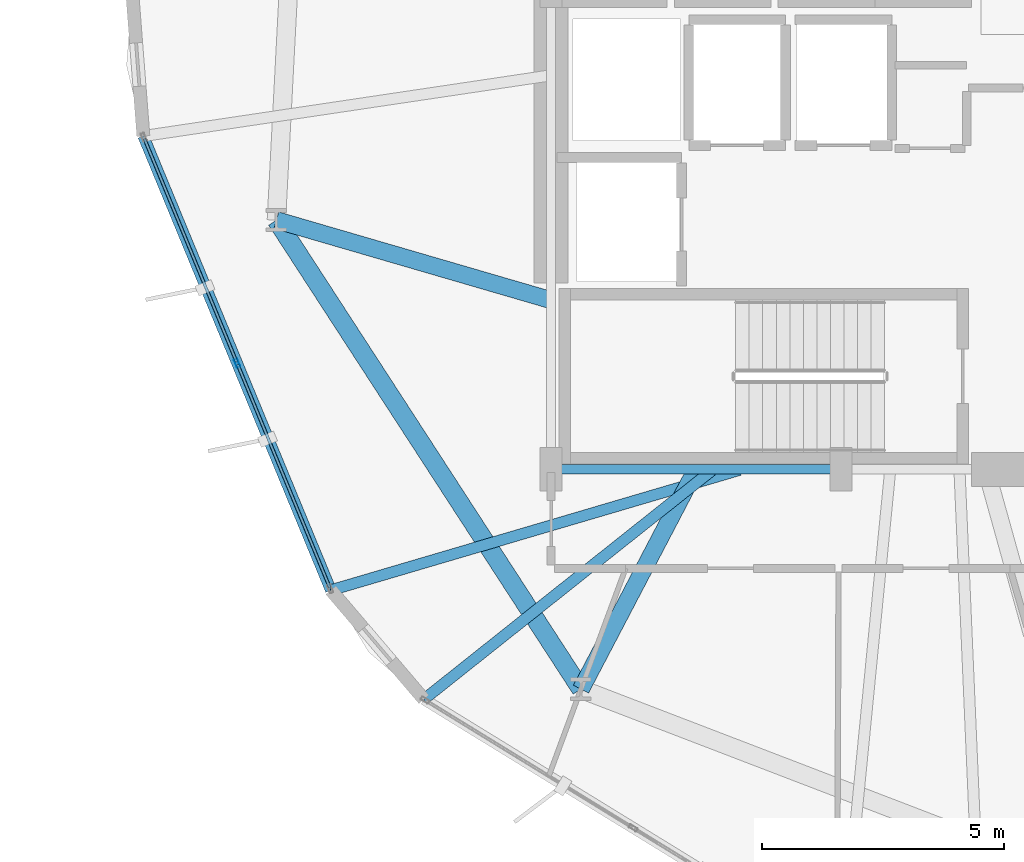
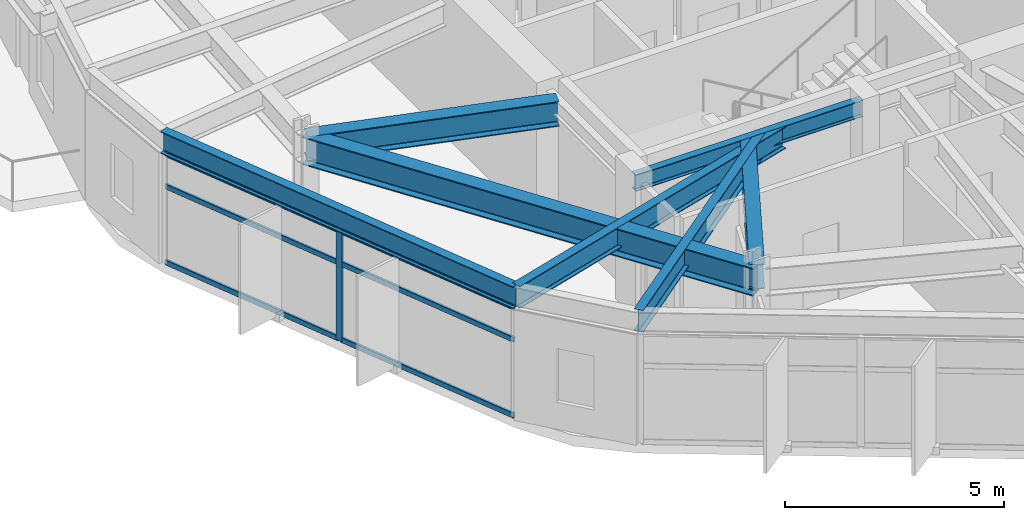
# One storey, part 3 of 22: 7 beams, 7 members, 1 element without a shape of its own.
"""IFC4 building model written with IfcOpenShell, lengths in metres."""

from ifc_helpers import new_model, si_unit, direction, frame, origin, origin_2d, place, context, subcontext, project, spatial, hollow_rectangle, i_section, extrude, material, layer, layer_set, material_profile, profile_set, type_object, element, aggregate, save


model = new_model("IFC4")

# Units and contexts
model_context = context("Model", 3, precision=1e-05, world=origin(), true_north=direction((0.0, 1.0)))
body_context = subcontext(model_context, "Body", "Model", "MODEL_VIEW")
ifc_project = project(units=[si_unit("LENGTHUNIT", "METRE"), si_unit("AREAUNIT", "SQUARE_METRE"), si_unit("VOLUMEUNIT", "CUBIC_METRE"), si_unit("PLANEANGLEUNIT", "RADIAN"), si_unit("MASSUNIT", "GRAM", prefix="KILO")], contexts=[model_context])

# Site, building, storey
site_placement = place(None, origin())
site = spatial("IfcSite", under=ifc_project, at=site_placement, CompositionType="ELEMENT")
building_placement = place(site_placement, origin())
building = spatial("IfcBuilding", under=site, at=building_placement, Name="Soratama Intermodal Tower", CompositionType="ELEMENT")
storey_placement = place(building_placement, frame((0.0, 0.0, 50.60009765625)))
storey = spatial("IfcBuildingStorey", under=building, at=storey_placement, Name="L11", CompositionType="ELEMENT", Elevation=50.60009765625)

# Beams
ifc_material_1 = material(Name="Structural steel ASTM A992 Grade 50", Category="steel")
ifc_material_profile_1 = material_profile(ifc_material_1, i_section(OverallWidth=0.19091796875, OverallDepth=0.4599609375, WebThickness=0.010009765625, FlangeThickness=0.01611328125, FilletRadius=0.010986328125, at=origin_2d()), Name="W18X55")
ifc_profile_set_1 = profile_set([ifc_material_profile_1], Name="Structural steel ASTM A992 Grade 50")
beam_type_1 = type_object("IfcBeamType", Name="BM-FLR-W18X55", PredefinedType="BEAM", material=ifc_profile_set_1)
beam_1_placement = place(storey_placement, frame((32.60009765625, 15.0, 3.469970703125), z_axis=(1.0, 0.0, 0.0), x_axis=(0.0, 1.0, 0.0)))
element("IfcBeam", 1, at=beam_1_placement, inside=storey, type_object=beam_type_1, Name="BM-L11-CRING-01", PredefinedType="BEAM", context=body_context, shape_type="SweptSolid", body=[
    extrude(i_section(OverallWidth=0.19091796875, OverallDepth=0.4599609375, WebThickness=0.010009765625, FlangeThickness=0.01611328125, FilletRadius=0.010986328125, at=origin_2d()), origin(), (0.0, 0.0, 1.0), 6.0),
])
ifc_material_2 = material(Name="Structural steel ASTM A992 Grade 50", Category="steel")
ifc_material_profile_2 = material_profile(ifc_material_2, i_section(OverallWidth=0.35498046875, OverallDepth=0.695068359375, WebThickness=0.015380859375, FlangeThickness=0.02490234375, FilletRadius=0.01611328125, at=origin_2d()), Name="W27X146")
ifc_profile_set_2 = profile_set([ifc_material_profile_2], Name="Structural steel ASTM A992 Grade 50")
beam_type_2 = type_object("IfcBeamType", Name="BM-RING-W27X146", PredefinedType="BEAM", material=ifc_profile_set_2)
beam_2_placement = place(storey_placement, frame((32.60009765625, 18.5, 3.352294921875), z_axis=(-0.960102504931, 0.279648314898, 0.0), x_axis=(-0.279648314898, -0.960102504931, 0.0)))
element("IfcBeam", 2, at=beam_2_placement, inside=storey, type_object=beam_type_2, Name="BM-L11-RAD-06", PredefinedType="BEAM", context=body_context, shape_type="SweptSolid", body=[
    extrude(i_section(OverallWidth=0.35498046875, OverallDepth=0.695068359375, WebThickness=0.015380859375, FlangeThickness=0.02490234375, FilletRadius=0.01611328125, at=origin_2d()), origin(), (0.0, 0.0, 1.0), 5.918212890625),
])
beam_3_placement = place(storey_placement, frame((35.60009765625, 15.0, 3.352294921875), z_axis=(-0.463818619792, -0.885930182314, 0.0), x_axis=(0.885930182314, -0.463818619792, 0.0)))
element("IfcBeam", 3, at=beam_3_placement, inside=storey, type_object=beam_type_2, Name="BM-L11-RAD-07", PredefinedType="BEAM", context=body_context, shape_type="SweptSolid", body=[
    extrude(i_section(OverallWidth=0.35498046875, OverallDepth=0.695068359375, WebThickness=0.015380859375, FlangeThickness=0.02490234375, FilletRadius=0.01611328125, at=origin_2d()), origin(), (0.0, 0.0, 1.0), 5.1337890625),
])
ifc_material_3 = material(Name="Structural steel ASTM A992 Grade 50", Category="steel")
ifc_material_profile_3 = material_profile(ifc_material_3, i_section(OverallWidth=0.382080078125, OverallDepth=0.779052734375, WebThickness=0.01806640625, FlangeThickness=0.030029296875, FilletRadius=0.01806640625, at=origin_2d()), Name="W30X191")
ifc_profile_set_3 = profile_set([ifc_material_profile_3], Name="Structural steel ASTM A992 Grade 50")
beam_type_3 = type_object("IfcBeamType", Name="BM-RING-W30X191", PredefinedType="BEAM", material=ifc_profile_set_3)
beam_4_placement = place(storey_placement, frame((26.91796875, 20.155029296875, 3.310302734375), z_axis=(0.544623370352, -0.838680740489, 0.0), x_axis=(0.838680740489, 0.544623370352, 0.0)))
element("IfcBeam", 4, at=beam_4_placement, inside=storey, type_object=beam_type_3, Name="BM-L11-RING-06", PredefinedType="BEAM", context=body_context, shape_type="SweptSolid", body=[
    extrude(i_section(OverallWidth=0.382080078125, OverallDepth=0.779052734375, WebThickness=0.01806640625, FlangeThickness=0.030029296875, FilletRadius=0.01806640625, at=origin_2d()), origin(), (0.0, 0.0, 1.0), 11.569580078125),
])
ifc_material_4 = material(Name="Structural steel ASTM A992 Grade 50", Category="steel")
ifc_material_profile_4 = material_profile(ifc_material_4, i_section(OverallWidth=0.22900390625, OverallDepth=0.612060546875, WebThickness=0.011962890625, FlangeThickness=0.01953125, FilletRadius=0.012939453125, at=origin_2d()), Name="W24X84")
ifc_profile_set_4 = profile_set([ifc_material_profile_4], Name="Structural steel ASTM A992 Grade 50")
beam_type_4 = type_object("IfcBeamType", Name="BM-SPN-W24X84", PredefinedType="SPANDREL", material=ifc_profile_set_4)
beam_5_placement = place(storey_placement, frame((24.1650390625, 21.89501953125, 3.393798828125), z_axis=(0.381670059257, -0.924298634569, 0.0), x_axis=(0.924298634569, 0.381670059257, 0.0)))
element("IfcBeam", 5, at=beam_5_placement, inside=storey, type_object=beam_type_4, Name="BS-L11-F06", PredefinedType="SPANDREL", context=body_context, shape_type="SweptSolid", body=[
    extrude(i_section(OverallWidth=0.22900390625, OverallDepth=0.612060546875, WebThickness=0.011962890625, FlangeThickness=0.01953125, FilletRadius=0.012939453125, at=origin_2d()), origin(), (0.0, 0.0, 1.0), 10.16552734375),
])
ifc_material_5 = material(Name="Structural steel ASTM A992 Grade 50", Category="steel")
ifc_material_profile_5 = material_profile(ifc_material_5, i_section(OverallWidth=0.22900390625, OverallDepth=0.612060546875, WebThickness=0.011962890625, FlangeThickness=0.01953125, FilletRadius=0.012939453125, at=origin_2d()), Name="W24X84")
ifc_profile_set_5 = profile_set([ifc_material_profile_5], Name="Structural steel ASTM A992 Grade 50")
beam_type_5 = type_object("IfcBeamType", Name="BM-TIE-W24X84", PredefinedType="BEAM", material=ifc_profile_set_5)
beam_6_placement = place(storey_placement, frame((36.5029296875, 14.989013671875, 3.393798828125), z_axis=(-0.959293599816, -0.282410674995, 0.0), x_axis=(0.282410674995, -0.959293599816, 0.0)))
element("IfcBeam", 6, at=beam_6_placement, inside=storey, type_object=beam_type_5, Name="BM-L11-TIE1-06", PredefinedType="BEAM", context=body_context, shape_type="SweptSolid", body=[
    extrude(i_section(OverallWidth=0.22900390625, OverallDepth=0.612060546875, WebThickness=0.011962890625, FlangeThickness=0.01953125, FilletRadius=0.012939453125, at=origin_2d()), origin(), (0.0, 0.0, 1.0), 8.81689453125),
])
beam_7_placement = place(storey_placement, frame((35.926025390625, 14.97509765625, 3.393798828125), z_axis=(-0.782834075822, -0.622230511734, 0.0), x_axis=(0.622230511734, -0.782834075822, 0.0)))
element("IfcBeam", 7, at=beam_7_placement, inside=storey, type_object=beam_type_5, Name="BM-L11-TIE0-07", PredefinedType="BEAM", context=body_context, shape_type="SweptSolid", body=[
    extrude(i_section(OverallWidth=0.22900390625, OverallDepth=0.612060546875, WebThickness=0.011962890625, FlangeThickness=0.01953125, FilletRadius=0.012939453125, at=origin_2d()), origin(), (0.0, 0.0, 1.0), 7.6083984375),
])

# Curtain wall, members
ifc_material_6 = material(Name="Double-glazed aluminium curtain wall", Category="aluminium")
ifc_layer = layer(ifc_material_6, 0.159912109375)
ifc_layer_set = layer_set([ifc_layer], Name="Double-glazed aluminium curtain wall")
curtain_wall_type = type_object("IfcCurtainWallType", Name="CW-SYS-2", PredefinedType="NOTDEFINED", material=ifc_layer_set)
curtain_wall_placement = place(storey_placement, origin())
curtain_wall = element("IfcCurtainWall", 8, at=curtain_wall_placement, inside=storey, type_object=curtain_wall_type, Name="L11 Faceted Curtain Wall F06", PredefinedType="NOTDEFINED")
ifc_material_7 = material(Name="Anodised aluminium AA 6063-T6", Category="aluminium")
ifc_material_profile_6 = material_profile(ifc_material_7, hollow_rectangle(XDim=0.074951171875, YDim=0.179931640625, WallThickness=0.006103515625, InnerFilletRadius=0.006103515625, OuterFilletRadius=0.011962890625, at=origin_2d()), Name="CWM180X75X6")
ifc_profile_set_6 = profile_set([ifc_material_profile_6], Name="Anodised aluminium AA 6063-T6")
member_type_1 = type_object("IfcMemberType", Name="MT-CWM-2", PredefinedType="MULLION", material=ifc_profile_set_6)
member_1_placement = place(storey_placement, frame((26.105224609375, 17.19677734375, 0.0), z_axis=(0.0, 0.0, 1.0), x_axis=(0.924277045689, 0.381722337323, 0.0)))
member_1 = element("IfcMember", 9, at=member_1_placement, type_object=member_type_1, Name="CW-2 mullion 2", PredefinedType="MULLION", context=body_context, shape_type="SweptSolid", body=[
    extrude(hollow_rectangle(XDim=0.074951171875, YDim=0.179931640625, WallThickness=0.006103515625, InnerFilletRadius=0.006103515625, OuterFilletRadius=0.011962890625, at=origin_2d()), origin(), (0.0, 0.0, 1.0), 3.078857421875),
])
ifc_material_8 = material(Name="Anodised aluminium AA 6063-T6", Category="aluminium")
ifc_material_profile_7 = material_profile(ifc_material_8, hollow_rectangle(XDim=0.06494140625, YDim=0.14990234375, WallThickness=0.0048828125, InnerFilletRadius=0.0048828125, OuterFilletRadius=0.010009765625, at=origin_2d()), Name="CWT150X65X5")
ifc_profile_set_7 = profile_set([ifc_material_profile_7], Name="Anodised aluminium AA 6063-T6")
member_type_2 = type_object("IfcMemberType", Name="TT-CWT-1", PredefinedType="USERDEFINED", material=ifc_profile_set_7)
member_2_placement = place(storey_placement, frame((24.18798828125, 21.839111328125, 0.02978515625), z_axis=(0.381703852011, -0.924284679825, 0.0), x_axis=(0.924284679825, 0.381703852011, 0.0)))
member_2 = element("IfcMember", 10, at=member_2_placement, type_object=member_type_2, Name="CW-2 transom 1.1", ObjectType="TRANSOM", PredefinedType="USERDEFINED", context=body_context, shape_type="SweptSolid", body=[
    extrude(hollow_rectangle(XDim=0.06494140625, YDim=0.14990234375, WallThickness=0.0048828125, InnerFilletRadius=0.0048828125, OuterFilletRadius=0.010009765625, at=origin_2d()), origin(), (0.0, 0.0, 1.0), 4.99267578125),
])
member_3_placement = place(storey_placement, frame((24.18798828125, 21.839111328125, 2.14990234375), z_axis=(0.381703852011, -0.924284679825, 0.0), x_axis=(0.924284679825, 0.381703852011, 0.0)))
member_3 = element("IfcMember", 11, at=member_3_placement, type_object=member_type_2, Name="CW-2 transom 1.2", ObjectType="TRANSOM", PredefinedType="USERDEFINED", context=body_context, shape_type="SweptSolid", body=[
    extrude(hollow_rectangle(XDim=0.06494140625, YDim=0.14990234375, WallThickness=0.0048828125, InnerFilletRadius=0.0048828125, OuterFilletRadius=0.010009765625, at=origin_2d()), origin(), (0.0, 0.0, 1.0), 4.99267578125),
])
member_4_placement = place(storey_placement, frame((24.18798828125, 21.839111328125, 3.048828125), z_axis=(0.381703852011, -0.924284679825, 0.0), x_axis=(0.924284679825, 0.381703852011, 0.0)))
member_4 = element("IfcMember", 12, at=member_4_placement, type_object=member_type_2, Name="CW-2 transom 1.3", ObjectType="TRANSOM", PredefinedType="USERDEFINED", context=body_context, shape_type="SweptSolid", body=[
    extrude(hollow_rectangle(XDim=0.06494140625, YDim=0.14990234375, WallThickness=0.0048828125, InnerFilletRadius=0.0048828125, OuterFilletRadius=0.010009765625, at=origin_2d()), origin(), (0.0, 0.0, 1.0), 4.99267578125),
])
member_5_placement = place(storey_placement, frame((26.11669921875, 17.1689453125, 0.02978515625), z_axis=(0.381721104361, -0.924277554897, 0.0), x_axis=(0.924277554897, 0.381721104361, 0.0)))
member_5 = element("IfcMember", 13, at=member_5_placement, type_object=member_type_2, Name="CW-2 transom 2.1", ObjectType="TRANSOM", PredefinedType="USERDEFINED", context=body_context, shape_type="SweptSolid", body=[
    extrude(hollow_rectangle(XDim=0.06494140625, YDim=0.14990234375, WallThickness=0.0048828125, InnerFilletRadius=0.0048828125, OuterFilletRadius=0.010009765625, at=origin_2d()), origin(), (0.0, 0.0, 1.0), 4.992431640625),
])
member_6_placement = place(storey_placement, frame((26.11669921875, 17.1689453125, 2.14990234375), z_axis=(0.381721104361, -0.924277554897, 0.0), x_axis=(0.924277554897, 0.381721104361, 0.0)))
member_6 = element("IfcMember", 14, at=member_6_placement, type_object=member_type_2, Name="CW-2 transom 2.2", ObjectType="TRANSOM", PredefinedType="USERDEFINED", context=body_context, shape_type="SweptSolid", body=[
    extrude(hollow_rectangle(XDim=0.06494140625, YDim=0.14990234375, WallThickness=0.0048828125, InnerFilletRadius=0.0048828125, OuterFilletRadius=0.010009765625, at=origin_2d()), origin(), (0.0, 0.0, 1.0), 4.992431640625),
])
member_7_placement = place(storey_placement, frame((26.11669921875, 17.1689453125, 3.048828125), z_axis=(0.381721104361, -0.924277554897, 0.0), x_axis=(0.924277554897, 0.381721104361, 0.0)))
member_7 = element("IfcMember", 15, at=member_7_placement, type_object=member_type_2, Name="CW-2 transom 2.3", ObjectType="TRANSOM", PredefinedType="USERDEFINED", context=body_context, shape_type="SweptSolid", body=[
    extrude(hollow_rectangle(XDim=0.06494140625, YDim=0.14990234375, WallThickness=0.0048828125, InnerFilletRadius=0.0048828125, OuterFilletRadius=0.010009765625, at=origin_2d()), origin(), (0.0, 0.0, 1.0), 4.992431640625),
])
aggregate(curtain_wall, [member_1, member_2, member_3, member_4, member_5, member_6, member_7])

save(model, "model.ifc")
